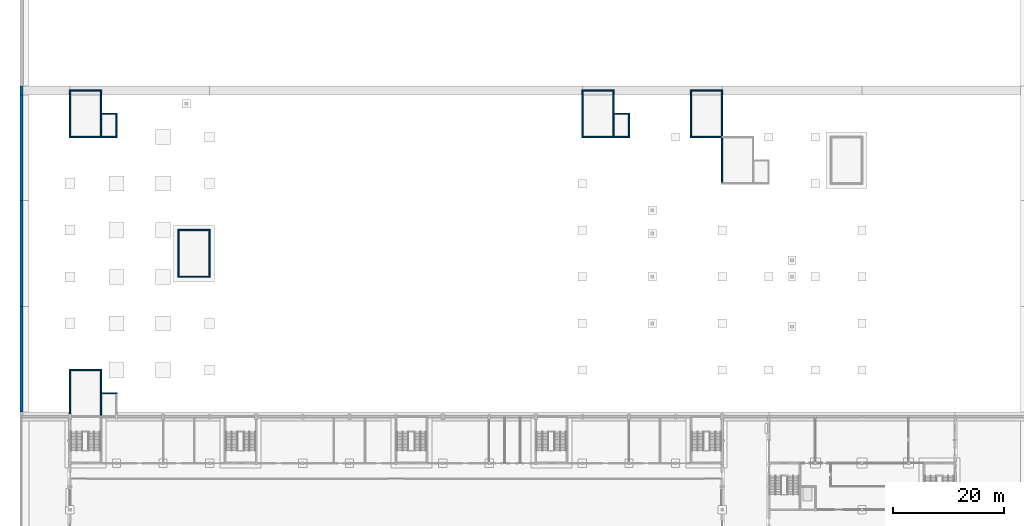
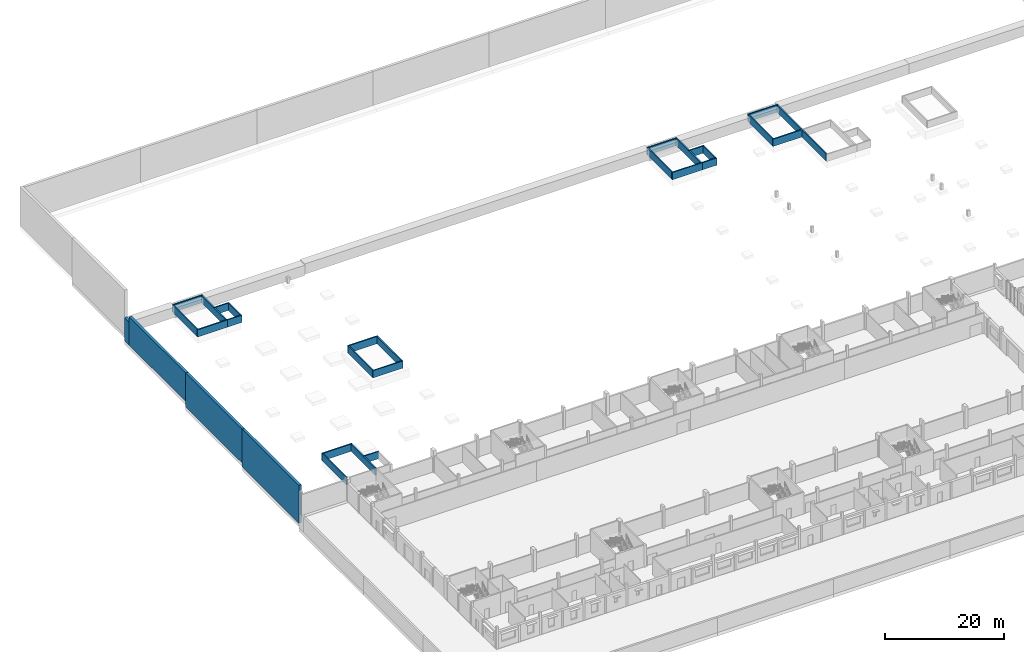
# One storey, part 24 of 36: 31 walls.
"""IFC4 building model written with IfcOpenShell, lengths in metres."""

from ifc_helpers import new_model, si_unit, direction, frame, frame_2d, origin, place, context, subcontext, project, spatial, rectangle, extrude, material, layer, layer_set, type_object, element, save


model = new_model("IFC4")

# Units and contexts
model_context = context("Model", 3, precision=1e-05, world=origin(), true_north=direction((0.0, 1.0)))
body_context = subcontext(model_context, "Body", "Model", "MODEL_VIEW")
ifc_project = project(units=[si_unit("LENGTHUNIT", "METRE"), si_unit("AREAUNIT", "SQUARE_METRE"), si_unit("VOLUMEUNIT", "CUBIC_METRE"), si_unit("PLANEANGLEUNIT", "RADIAN"), si_unit("MASSUNIT", "GRAM", prefix="KILO")], contexts=[model_context])

# Site, building, storey
site_placement = place(None, origin())
site = spatial("IfcSite", under=ifc_project, at=site_placement, CompositionType="ELEMENT")
building_placement = place(site_placement, origin())
building = spatial("IfcBuilding", under=site, at=building_placement, Name="Fescue Hill Polytechnic", CompositionType="ELEMENT")
storey_placement = place(building_placement, origin())
storey = spatial("IfcBuildingStorey", under=building, at=storey_placement, Name="L00", CompositionType="ELEMENT", Elevation=0.0)

# Walls
ifc_material_1 = material(Name="Concrete 40 MPa", Category="concrete")
ifc_layer_1 = layer(ifc_material_1, 0.25)
ifc_layer_set_1 = layer_set([ifc_layer_1], Name="Concrete 40 MPa")
wall_type_1 = type_object("IfcWallType", Name="Core wall 250", PredefinedType="SHEAR", material=ifc_layer_set_1)
wall_1_placement = place(storey_placement, frame((117.60009765625, 92.52490234375, 3.0), z_axis=(0.0, 0.0, 1.0), x_axis=(0.0, 1.0, 0.0)))
element("IfcWall", 1, at=wall_1_placement, inside=storey, type_object=wall_type_1, Name="FW-ST-V2-1-3", PredefinedType="SHEAR", context=body_context, shape_type="SweptSolid", body=[
    extrude(rectangle(XDim=8.150146484375, YDim=0.25, at=frame_2d((4.0751953125, 0.0))), origin(), (0.0, 0.0, 1.0), 1.5),
])
wall_2_placement = place(storey_placement, frame((-0.125, 58.800048828125, 3.0), z_axis=(0.0, 0.0, 1.0), x_axis=(1.0, 0.0, 0.0)))
element("IfcWall", 2, at=wall_2_placement, inside=storey, type_object=wall_type_1, Name="FW-ST-V4-1-2", PredefinedType="SHEAR", context=body_context, shape_type="SweptSolid", body=[
    extrude(rectangle(XDim=5.85009765625, YDim=0.25, at=frame_2d((2.925048828125, 0.0))), origin(), (0.0, 0.0, 1.0), 1.5),
])
for number, where, z_axis, x_axis, name in (
    (3, (0.0, 50.52490234375, 3.0), (0.0, 0.0, 1.0), (0.0, 1.0, 0.0), "FW-ST-V4-1-3"),
    (4, (5.60009765625, 50.52490234375, 3.0), (0.0, 0.0, 1.0), (0.0, 1.0, 0.0), "FW-ST-V4-1-4"),
):
    element("IfcWall", number, at=place(storey_placement, frame(where, z_axis=z_axis, x_axis=x_axis)), inside=storey, type_object=wall_type_1, Name=name, PredefinedType="SHEAR", context=body_context, shape_type="SweptSolid", body=[
        extrude(rectangle(XDim=8.150146484375, YDim=0.25, at=frame_2d((4.0751953125, 0.0))), origin(), (0.0, 0.0, 1.0), 1.5),
    ])
for number, where, z_axis, x_axis, name in (
    (5, (-0.125, 100.800048828125, 3.0), (0.0, 0.0, 1.0), (1.0, 0.0, 0.0), "FW-ST-V4-2-1"),
    (6, (-0.125, 109.199951171875, 3.0), (0.0, 0.0, 1.0), (1.0, 0.0, 0.0), "FW-ST-V4-2-2"),
):
    element("IfcWall", number, at=place(storey_placement, frame(where, z_axis=z_axis, x_axis=x_axis)), inside=storey, type_object=wall_type_1, Name=name, PredefinedType="SHEAR", context=body_context, shape_type="SweptSolid", body=[
        extrude(rectangle(XDim=5.85009765625, YDim=0.25, at=frame_2d((2.925048828125, 0.0))), origin(), (0.0, 0.0, 1.0), 1.5),
    ])
for number, where, z_axis, x_axis, name in (
    (7, (0.0, 100.925048828125, 3.0), (0.0, 0.0, 1.0), (0.0, 1.0, 0.0), "FW-ST-V4-2-3"),
    (8, (5.60009765625, 100.925048828125, 3.0), (0.0, 0.0, 1.0), (0.0, 1.0, 0.0), "FW-ST-V4-2-4"),
):
    element("IfcWall", number, at=place(storey_placement, frame(where, z_axis=z_axis, x_axis=x_axis)), inside=storey, type_object=wall_type_1, Name=name, PredefinedType="SHEAR", context=body_context, shape_type="SweptSolid", body=[
        extrude(rectangle(XDim=8.14990234375, YDim=0.25, at=frame_2d((4.074951171875, 0.0))), origin(), (0.0, 0.0, 1.0), 1.5),
    ])
for number, where, z_axis, x_axis, name in (
    (9, (19.47509765625, 75.60009765625, 3.0), (0.0, 0.0, 1.0), (1.0, 0.0, 0.0), "FW-ST-V4-3-1"),
    (10, (19.47509765625, 84.0, 3.0), (0.0, 0.0, 1.0), (1.0, 0.0, 0.0), "FW-ST-V4-3-2"),
):
    element("IfcWall", number, at=place(storey_placement, frame(where, z_axis=z_axis, x_axis=x_axis)), inside=storey, type_object=wall_type_1, Name=name, PredefinedType="SHEAR", context=body_context, shape_type="SweptSolid", body=[
        extrude(rectangle(XDim=5.849853515625, YDim=0.25, at=frame_2d((2.9248046875, 0.0))), origin(), (0.0, 0.0, 1.0), 1.5),
    ])
for number, where, z_axis, x_axis, name in (
    (11, (19.60009765625, 75.72509765625, 3.0), (0.0, 0.0, 1.0), (0.0, 1.0, 0.0), "FW-ST-V4-3-3"),
    (12, (25.199951171875, 75.72509765625, 3.0), (0.0, 0.0, 1.0), (0.0, 1.0, 0.0), "FW-ST-V4-3-4"),
):
    element("IfcWall", number, at=place(storey_placement, frame(where, z_axis=z_axis, x_axis=x_axis)), inside=storey, type_object=wall_type_1, Name=name, PredefinedType="SHEAR", context=body_context, shape_type="SweptSolid", body=[
        extrude(rectangle(XDim=8.14990234375, YDim=0.25, at=frame_2d((4.074951171875, 0.0))), origin(), (0.0, 0.0, 1.0), 1.5),
    ])
for number, where, z_axis, x_axis, name in (
    (13, (92.27490234375, 100.800048828125, 3.0), (0.0, 0.0, 1.0), (1.0, 0.0, 0.0), "FW-ST-V6-1-1"),
    (14, (92.27490234375, 109.199951171875, 3.0), (0.0, 0.0, 1.0), (1.0, 0.0, 0.0), "FW-ST-V6-1-2"),
):
    element("IfcWall", number, at=place(storey_placement, frame(where, z_axis=z_axis, x_axis=x_axis)), inside=storey, type_object=wall_type_1, Name=name, PredefinedType="SHEAR", context=body_context, shape_type="SweptSolid", body=[
        extrude(rectangle(XDim=5.85009765625, YDim=0.25, at=frame_2d((2.925048828125, 0.0))), origin(), (0.0, 0.0, 1.0), 1.5),
    ])
for number, where, z_axis, x_axis, name in (
    (15, (92.39990234375, 100.925048828125, 3.0), (0.0, 0.0, 1.0), (0.0, 1.0, 0.0), "FW-ST-V6-1-3"),
    (16, (98.0, 100.925048828125, 3.0), (0.0, 0.0, 1.0), (0.0, 1.0, 0.0), "FW-ST-V6-1-4"),
):
    element("IfcWall", number, at=place(storey_placement, frame(where, z_axis=z_axis, x_axis=x_axis)), inside=storey, type_object=wall_type_1, Name=name, PredefinedType="SHEAR", context=body_context, shape_type="SweptSolid", body=[
        extrude(rectangle(XDim=8.14990234375, YDim=0.25, at=frame_2d((4.074951171875, 0.0))), origin(), (0.0, 0.0, 1.0), 1.5),
    ])
wall_3_placement = place(storey_placement, frame((111.875, 100.800048828125, 3.0), z_axis=(0.0, 0.0, 1.0), x_axis=(1.0, 0.0, 0.0)))
element("IfcWall", 17, at=wall_3_placement, inside=storey, type_object=wall_type_1, Name="FW-ST-V6-2-1", PredefinedType="SHEAR", context=body_context, shape_type="SweptSolid", body=[
    extrude(rectangle(XDim=5.60009765625, YDim=0.25, at=frame_2d((2.800048828125, 0.0))), origin(), (0.0, 0.0, 1.0), 1.5),
])
wall_4_placement = place(storey_placement, frame((111.875, 109.199951171875, 3.0), z_axis=(0.0, 0.0, 1.0), x_axis=(1.0, 0.0, 0.0)))
element("IfcWall", 18, at=wall_4_placement, inside=storey, type_object=wall_type_1, Name="FW-ST-V6-2-2", PredefinedType="SHEAR", context=body_context, shape_type="SweptSolid", body=[
    extrude(rectangle(XDim=5.85009765625, YDim=0.25, at=frame_2d((2.925048828125, 0.0))), origin(), (0.0, 0.0, 1.0), 1.5),
])
for number, where, z_axis, x_axis, name in (
    (19, (112.0, 100.925048828125, 3.0), (0.0, 0.0, 1.0), (0.0, 1.0, 0.0), "FW-ST-V6-2-3"),
    (20, (117.60009765625, 100.925048828125, 3.0), (0.0, 0.0, 1.0), (0.0, 1.0, 0.0), "FW-ST-V6-2-4"),
):
    element("IfcWall", number, at=place(storey_placement, frame(where, z_axis=z_axis, x_axis=x_axis)), inside=storey, type_object=wall_type_1, Name=name, PredefinedType="SHEAR", context=body_context, shape_type="SweptSolid", body=[
        extrude(rectangle(XDim=8.14990234375, YDim=0.25, at=frame_2d((4.074951171875, 0.0))), origin(), (0.0, 0.0, 1.0), 1.5),
    ])
ifc_layer_2 = layer(ifc_material_1, 0.25)
ifc_layer_set_2 = layer_set([ifc_layer_2], Name="Concrete 40 MPa")
wall_type_2 = type_object("IfcWallType", Name="Lift pit wall 250", PredefinedType="SHEAR", material=ifc_layer_set_2)
wall_5_placement = place(storey_placement, frame((5.610107421875, 54.60009765625, 3.0), z_axis=(0.0, 0.0, 1.0), x_axis=(1.0, 0.0, 0.0)))
element("IfcWall", 21, at=wall_5_placement, inside=storey, type_object=wall_type_2, Name="PW-L01-LF-V4-1-2", PredefinedType="SHEAR", context=body_context, shape_type="SweptSolid", body=[
    extrude(rectangle(XDim=2.914794921875, YDim=0.25, at=frame_2d((1.45751953125, 0.0))), origin(), (0.0, 0.0, 1.0), 1.5),
])
wall_6_placement = place(storey_placement, frame((5.72509765625, 100.800048828125, 3.0), z_axis=(0.0, 0.0, 1.0), x_axis=(1.0, 0.0, 0.0)))
element("IfcWall", 22, at=wall_6_placement, inside=storey, type_object=wall_type_2, Name="PW-L01-LF-V4-2-1", PredefinedType="SHEAR", context=body_context, shape_type="SweptSolid", body=[
    extrude(rectangle(XDim=2.7998046875, YDim=0.25, at=frame_2d((1.39990234375, 0.0))), origin(), (0.0, 0.0, 1.0), 1.5),
])
wall_7_placement = place(storey_placement, frame((5.610107421875, 105.0, 3.0), z_axis=(0.0, 0.0, 1.0), x_axis=(1.0, 0.0, 0.0)))
element("IfcWall", 23, at=wall_7_placement, inside=storey, type_object=wall_type_2, Name="PW-L01-LF-V4-2-2", PredefinedType="SHEAR", context=body_context, shape_type="SweptSolid", body=[
    extrude(rectangle(XDim=2.914794921875, YDim=0.25, at=frame_2d((1.45751953125, 0.0))), origin(), (0.0, 0.0, 1.0), 1.5),
])
wall_8_placement = place(storey_placement, frame((8.39990234375, 100.925048828125, 3.0), z_axis=(0.0, 0.0, 1.0), x_axis=(0.0, 1.0, 0.0)))
element("IfcWall", 24, at=wall_8_placement, inside=storey, type_object=wall_type_2, Name="PW-L01-LF-V4-2-4", PredefinedType="SHEAR", context=body_context, shape_type="SweptSolid", body=[
    extrude(rectangle(XDim=3.949951171875, YDim=0.25, at=frame_2d((1.97509765625, 0.0))), origin(), (0.0, 0.0, 1.0), 1.5),
])
wall_9_placement = place(storey_placement, frame((98.125, 100.800048828125, 3.0), z_axis=(0.0, 0.0, 1.0), x_axis=(1.0, 0.0, 0.0)))
element("IfcWall", 25, at=wall_9_placement, inside=storey, type_object=wall_type_2, Name="PW-L01-LF-V6-1-1", PredefinedType="SHEAR", context=body_context, shape_type="SweptSolid", body=[
    extrude(rectangle(XDim=2.800048828125, YDim=0.25, at=frame_2d((1.39990234375, 0.0))), origin(), (0.0, 0.0, 1.0), 1.5),
])
wall_10_placement = place(storey_placement, frame((98.010009765625, 105.0, 3.0), z_axis=(0.0, 0.0, 1.0), x_axis=(1.0, 0.0, 0.0)))
element("IfcWall", 26, at=wall_10_placement, inside=storey, type_object=wall_type_2, Name="PW-L01-LF-V6-1-2", PredefinedType="SHEAR", context=body_context, shape_type="SweptSolid", body=[
    extrude(rectangle(XDim=2.9150390625, YDim=0.25, at=frame_2d((1.45751953125, 0.0))), origin(), (0.0, 0.0, 1.0), 1.5),
])
wall_11_placement = place(storey_placement, frame((100.800048828125, 100.925048828125, 3.0), z_axis=(0.0, 0.0, 1.0), x_axis=(0.0, 1.0, 0.0)))
element("IfcWall", 27, at=wall_11_placement, inside=storey, type_object=wall_type_2, Name="PW-L01-LF-V6-1-4", PredefinedType="SHEAR", context=body_context, shape_type="SweptSolid", body=[
    extrude(rectangle(XDim=3.949951171875, YDim=0.25, at=frame_2d((1.97509765625, 0.0))), origin(), (0.0, 0.0, 1.0), 1.5),
])
ifc_material_2 = material(Name="Concrete 35 MPa", Category="concrete")
ifc_layer_3 = layer(ifc_material_2, 0.5)
ifc_layer_set_3 = layer_set([ifc_layer_3], Name="Concrete 35 MPa")
wall_type_3 = type_object("IfcWallType", Name="Retaining wall 500", PredefinedType="SOLIDWALL", material=ifc_layer_set_3)
wall_12_placement = place(storey_placement, frame((-8.742919921875, 51.199951171875, -2.205078125), z_axis=(0.0, 0.0, 1.0), x_axis=(0.0, 1.0, 0.0)))
element("IfcWall", 28, at=wall_12_placement, inside=storey, type_object=wall_type_3, Name="RT-PW07", PredefinedType="SOLIDWALL", context=body_context, shape_type="SweptSolid", body=[
    extrude(rectangle(XDim=19.066650390625, YDim=0.5, at=frame_2d((9.533203125, 0.0))), origin(), (0.0, 0.0, 1.0), 7.80517578125),
])
wall_13_placement = place(storey_placement, frame((-8.742919921875, 70.2666015625, -1.39501953125), z_axis=(0.0, 0.0, 1.0), x_axis=(0.0, 1.0, 0.0)))
element("IfcWall", 29, at=wall_13_placement, inside=storey, type_object=wall_type_3, Name="RT-PW08", PredefinedType="SOLIDWALL", context=body_context, shape_type="SweptSolid", body=[
    extrude(rectangle(XDim=19.066650390625, YDim=0.5, at=frame_2d((9.533203125, 0.0))), origin(), (0.0, 0.0, 1.0), 6.9951171875),
])
wall_14_placement = place(storey_placement, frame((-8.742919921875, 89.333251953125, -0.2490234375), z_axis=(0.0, 0.0, 1.0), x_axis=(0.0, 1.0, 0.0)))
element("IfcWall", 30, at=wall_14_placement, inside=storey, type_object=wall_type_3, Name="RT-PW09", PredefinedType="SOLIDWALL", context=body_context, shape_type="SweptSolid", body=[
    extrude(rectangle(XDim=19.066650390625, YDim=0.5, at=frame_2d((9.533203125, 0.0))), origin(), (0.0, 0.0, 1.0), 5.84912109375),
])
wall_15_placement = place(storey_placement, frame((-8.742919921875, 108.39990234375, -0.2490234375), z_axis=(0.0, 0.0, 1.0), x_axis=(0.0, 1.0, 0.0)))
element("IfcWall", 31, at=wall_15_placement, inside=storey, type_object=wall_type_3, Name="RT-PW10", PredefinedType="SOLIDWALL", context=body_context, shape_type="SweptSolid", body=[
    extrude(rectangle(XDim=1.60009765625, YDim=0.5, at=frame_2d((0.800048828125, 0.0))), origin(), (0.0, 0.0, 1.0), 4.7490234375),
])

save(model, "model.ifc")
